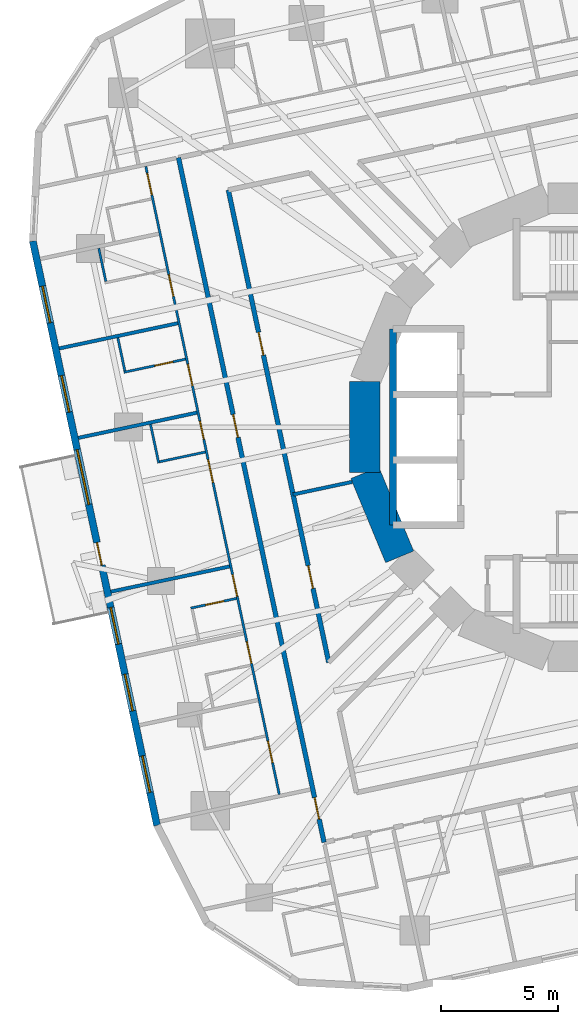
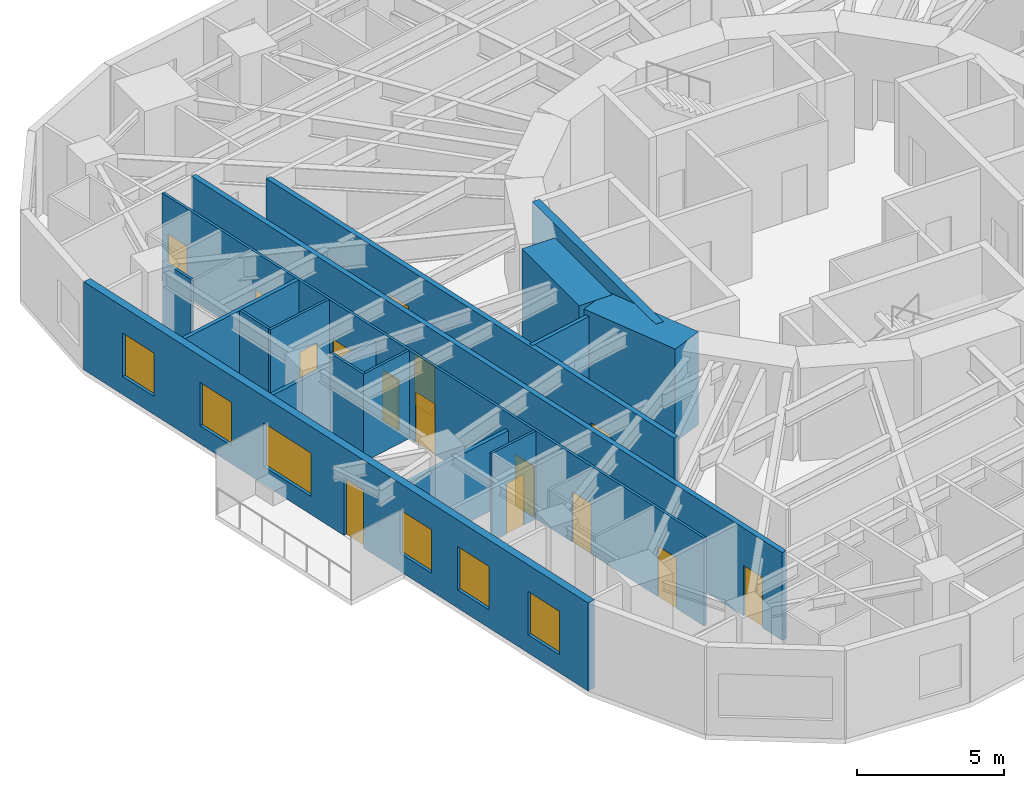
# One storey, part 6 of 14: 17 walls, 15 doors, 6 windows, 21 openings.
"""IFC4 building model written with IfcOpenShell, lengths in metres."""

from ifc_helpers import new_model, si_unit, direction, frame, frame_2d, origin, place, context, subcontext, project, spatial, rectangle, extrude, material, layer, layer_set, type_object, element, fill, save


model = new_model("IFC4")

# Units and contexts
model_context = context("Model", 3, precision=1e-05, world=origin(), true_north=direction((0.0, 1.0)))
body_context = subcontext(model_context, "Body", "Model", "MODEL_VIEW")
ifc_project = project(units=[si_unit("LENGTHUNIT", "METRE"), si_unit("AREAUNIT", "SQUARE_METRE"), si_unit("VOLUMEUNIT", "CUBIC_METRE"), si_unit("PLANEANGLEUNIT", "RADIAN"), si_unit("MASSUNIT", "GRAM", prefix="KILO")], contexts=[model_context])

# Site, building, storey
site_placement = place(None, origin())
site = spatial("IfcSite", under=ifc_project, at=site_placement, CompositionType="ELEMENT")
building_placement = place(site_placement, origin())
building = spatial("IfcBuilding", under=site, at=building_placement, Name="Nakasero Lantern House", CompositionType="ELEMENT")
storey_placement = place(building_placement, frame((0.0, 0.0, 112.699951171875)))
storey = spatial("IfcBuildingStorey", under=building, at=storey_placement, Name="L27", CompositionType="ELEMENT", Elevation=112.699951171875)

# Wall, openings, doors
ifc_material_1 = material(Name="Blockwork", Category="masonry")
ifc_layer_1 = layer(ifc_material_1, 0.10009765625)
ifc_layer_set_1 = layer_set([ifc_layer_1], Name="Cluster hall wall 100")
wall_type_1 = type_object("IfcWallType", Name="Cluster hall wall 100", PredefinedType="PARTITIONING", material=ifc_layer_set_1)
wall_1_placement = place(storey_placement, frame((-19.193603515625, 11.1787109375, 0.0), z_axis=(0.0, 0.0, 1.0), x_axis=(0.207915639441, -0.97814676142, 0.0)))
wall_1 = element("IfcWall", 1, at=wall_1_placement, inside=storey, type_object=wall_type_1, Name="Cluster hall wall L27 HW2-0", PredefinedType="PARTITIONING", context=body_context, shape_type="SweptSolid", body=[
    extrude(rectangle(XDim=27.513427734375, YDim=0.10009765625, at=frame_2d((13.7568359375, 0.0))), origin(), (0.0, 0.0, 1.0), 3.650146484375),
])
opening_1_placement = place(wall_1_placement, frame((12.848876953125, 0.0, 0.0)))
opening_1 = element("IfcOpeningElement", 2, at=opening_1_placement, cuts=wall_1, Name="Opening D03", PredefinedType="OPENING", context=body_context, shape_type="SweptSolid", body=[
    extrude(rectangle(XDim=1.0, YDim=2.10009765625, at=frame_2d((0.5, 1.050048828125))), frame((0.0, 0.070068359375, 0.0), z_axis=(0.0, -1.0, 0.0), x_axis=(1.0, 0.0, 0.0)), (0.0, 0.0, 1.0), 0.14013671875),
])
opening_2_placement = place(wall_1_placement, frame((11.155029296875, 0.0, 0.0)))
opening_2 = element("IfcOpeningElement", 3, at=opening_2_placement, cuts=wall_1, Name="Opening D02", PredefinedType="OPENING", context=body_context, shape_type="SweptSolid", body=[
    extrude(rectangle(XDim=0.800048828125, YDim=2.10009765625, at=frame_2d((0.39990234375, 1.050048828125))), frame((0.0, 0.070068359375, 0.0), z_axis=(0.0, -1.0, 0.0), x_axis=(1.0, 0.0, 0.0)), (0.0, 0.0, 1.0), 0.14013671875),
])
opening_3_placement = place(wall_1_placement, frame((0.300048828125, 0.0, 0.0)))
opening_3 = element("IfcOpeningElement", 4, at=opening_3_placement, cuts=wall_1, Name="Opening D01", PredefinedType="OPENING", context=body_context, shape_type="SweptSolid", body=[
    extrude(rectangle(XDim=0.949951171875, YDim=2.10009765625, at=frame_2d((0.47509765625, 1.050048828125))), frame((0.0, 0.070068359375, 0.0), z_axis=(0.0, -1.0, 0.0), x_axis=(1.0, 0.0, 0.0)), (0.0, 0.0, 1.0), 0.14013671875),
])
opening_4_placement = place(wall_1_placement, frame((4.7412109375, 0.0, 0.0)))
opening_4 = element("IfcOpeningElement", 5, at=opening_4_placement, cuts=wall_1, Name="Opening D01", PredefinedType="OPENING", context=body_context, shape_type="SweptSolid", body=[
    extrude(rectangle(XDim=0.949951171875, YDim=2.10009765625, at=frame_2d((0.47509765625, 1.050048828125))), frame((0.0, 0.070068359375, 0.0), z_axis=(0.0, -1.0, 0.0), x_axis=(1.0, 0.0, 0.0)), (0.0, 0.0, 1.0), 0.14013671875),
])
opening_5_placement = place(wall_1_placement, frame((8.66064453125, 0.0, 0.0)))
opening_5 = element("IfcOpeningElement", 6, at=opening_5_placement, cuts=wall_1, Name="Opening D01", PredefinedType="OPENING", context=body_context, shape_type="SweptSolid", body=[
    extrude(rectangle(XDim=0.949951171875, YDim=2.10009765625, at=frame_2d((0.47509765625, 1.050048828125))), frame((0.0, 0.070068359375, 0.0), z_axis=(0.0, -1.0, 0.0), x_axis=(1.0, 0.0, 0.0)), (0.0, 0.0, 1.0), 0.14013671875),
])
opening_6_placement = place(wall_1_placement, frame((17.892578125, 0.0, 0.0)))
opening_6 = element("IfcOpeningElement", 7, at=opening_6_placement, cuts=wall_1, Name="Opening D01", PredefinedType="OPENING", context=body_context, shape_type="SweptSolid", body=[
    extrude(rectangle(XDim=0.949951171875, YDim=2.10009765625, at=frame_2d((0.47509765625, 1.050048828125))), frame((0.0, 0.070068359375, 0.0), z_axis=(0.0, -1.0, 0.0), x_axis=(1.0, 0.0, 0.0)), (0.0, 0.0, 1.0), 0.14013671875),
])
opening_7_placement = place(wall_1_placement, frame((20.81884765625, 0.0, 0.0)))
opening_7 = element("IfcOpeningElement", 8, at=opening_7_placement, cuts=wall_1, Name="Opening D01", PredefinedType="OPENING", context=body_context, shape_type="SweptSolid", body=[
    extrude(rectangle(XDim=0.949951171875, YDim=2.10009765625, at=frame_2d((0.47509765625, 1.050048828125))), frame((0.0, 0.070068359375, 0.0), z_axis=(0.0, -1.0, 0.0), x_axis=(1.0, 0.0, 0.0)), (0.0, 0.0, 1.0), 0.14013671875),
])
opening_8_placement = place(wall_1_placement, frame((25.17041015625, 0.0, 0.0)))
opening_8 = element("IfcOpeningElement", 9, at=opening_8_placement, cuts=wall_1, Name="Opening D01", PredefinedType="OPENING", context=body_context, shape_type="SweptSolid", body=[
    extrude(rectangle(XDim=0.949951171875, YDim=2.10009765625, at=frame_2d((0.47509765625, 1.050048828125))), frame((0.0, 0.070068359375, 0.0), z_axis=(0.0, -1.0, 0.0), x_axis=(1.0, 0.0, 0.0)), (0.0, 0.0, 1.0), 0.14013671875),
])
ifc_material_2 = material(Name="Timber C24", Category="wood")
door_type_1 = type_object("IfcDoorType", Name="Bedroom door FD30S 950", OperationType="SINGLE_SWING_LEFT", PredefinedType="DOOR", material=ifc_material_2)
door_1_placement = place(opening_3_placement, origin())
door_1 = element("IfcDoor", 10, at=door_1_placement, inside=storey, type_object=door_type_1, Name="Door L27 D2-00", OperationType="SINGLE_SWING_LEFT", OverallHeight=2.10009765625, OverallWidth=0.949951171875, PredefinedType="DOOR", context=body_context, shape_type="SweptSolid", body=[
    extrude(rectangle(XDim=0.949951171875, YDim=2.10009765625, at=frame_2d((0.47509765625, 1.050048828125))), frame((0.0, 0.02490234375, 0.0), z_axis=(0.0, -1.0, 0.0), x_axis=(1.0, 0.0, 0.0)), (0.0, 0.0, 1.0), 0.050048828125),
])
fill(opening_3, door_1)
door_2_placement = place(opening_4_placement, origin())
door_2 = element("IfcDoor", 11, at=door_2_placement, inside=storey, type_object=door_type_1, Name="Door L27 D2-01", OperationType="SINGLE_SWING_LEFT", OverallHeight=2.10009765625, OverallWidth=0.949951171875, PredefinedType="DOOR", context=body_context, shape_type="SweptSolid", body=[
    extrude(rectangle(XDim=0.949951171875, YDim=2.10009765625, at=frame_2d((0.47509765625, 1.050048828125))), frame((0.0, 0.02490234375, 0.0), z_axis=(0.0, -1.0, 0.0), x_axis=(1.0, 0.0, 0.0)), (0.0, 0.0, 1.0), 0.050048828125),
])
fill(opening_4, door_2)
door_3_placement = place(opening_5_placement, origin())
door_3 = element("IfcDoor", 12, at=door_3_placement, inside=storey, type_object=door_type_1, Name="Door L27 D2-02", OperationType="SINGLE_SWING_LEFT", OverallHeight=2.10009765625, OverallWidth=0.949951171875, PredefinedType="DOOR", context=body_context, shape_type="SweptSolid", body=[
    extrude(rectangle(XDim=0.949951171875, YDim=2.10009765625, at=frame_2d((0.47509765625, 1.050048828125))), frame((0.0, 0.02490234375, 0.0), z_axis=(0.0, -1.0, 0.0), x_axis=(1.0, 0.0, 0.0)), (0.0, 0.0, 1.0), 0.050048828125),
])
fill(opening_5, door_3)
door_4_placement = place(opening_6_placement, origin())
door_4 = element("IfcDoor", 13, at=door_4_placement, inside=storey, type_object=door_type_1, Name="Door L27 D2-05", OperationType="SINGLE_SWING_RIGHT", OverallHeight=2.10009765625, OverallWidth=0.949951171875, PredefinedType="DOOR", context=body_context, shape_type="SweptSolid", body=[
    extrude(rectangle(XDim=0.949951171875, YDim=2.10009765625, at=frame_2d((0.47509765625, 1.050048828125))), frame((0.0, 0.02490234375, 0.0), z_axis=(0.0, -1.0, 0.0), x_axis=(1.0, 0.0, 0.0)), (0.0, 0.0, 1.0), 0.050048828125),
])
fill(opening_6, door_4)
door_5_placement = place(opening_7_placement, origin())
door_5 = element("IfcDoor", 14, at=door_5_placement, inside=storey, type_object=door_type_1, Name="Door L27 D2-06", OperationType="SINGLE_SWING_RIGHT", OverallHeight=2.10009765625, OverallWidth=0.949951171875, PredefinedType="DOOR", context=body_context, shape_type="SweptSolid", body=[
    extrude(rectangle(XDim=0.949951171875, YDim=2.10009765625, at=frame_2d((0.47509765625, 1.050048828125))), frame((0.0, 0.02490234375, 0.0), z_axis=(0.0, -1.0, 0.0), x_axis=(1.0, 0.0, 0.0)), (0.0, 0.0, 1.0), 0.050048828125),
])
fill(opening_7, door_5)
door_6_placement = place(opening_8_placement, origin())
door_6 = element("IfcDoor", 15, at=door_6_placement, inside=storey, type_object=door_type_1, Name="Door L27 D2-07", OperationType="SINGLE_SWING_RIGHT", OverallHeight=2.10009765625, OverallWidth=0.949951171875, PredefinedType="DOOR", context=body_context, shape_type="SweptSolid", body=[
    extrude(rectangle(XDim=0.949951171875, YDim=2.10009765625, at=frame_2d((0.47509765625, 1.050048828125))), frame((0.0, 0.02490234375, 0.0), z_axis=(0.0, -1.0, 0.0), x_axis=(1.0, 0.0, 0.0)), (0.0, 0.0, 1.0), 0.050048828125),
])
fill(opening_8, door_6)
ifc_material_3 = material(Name="Timber C24", Category="wood")
door_type_2 = type_object("IfcDoorType", Name="En-suite door 800", OperationType="SINGLE_SWING_RIGHT", PredefinedType="DOOR", material=ifc_material_3)
door_7_placement = place(opening_2_placement, origin())
door_7 = element("IfcDoor", 16, at=door_7_placement, inside=storey, type_object=door_type_2, Name="Door L27 DSH2-0", OperationType="SINGLE_SWING_LEFT", OverallHeight=2.10009765625, OverallWidth=0.800048828125, PredefinedType="DOOR", context=body_context, shape_type="SweptSolid", body=[
    extrude(rectangle(XDim=0.800048828125, YDim=2.10009765625, at=frame_2d((0.39990234375, 1.050048828125))), frame((0.0, 0.02490234375, 0.0), z_axis=(0.0, -1.0, 0.0), x_axis=(1.0, 0.0, 0.0)), (0.0, 0.0, 1.0), 0.050048828125),
])
fill(opening_2, door_7)
ifc_material_4 = material(Name="Timber C24", Category="wood")
door_type_3 = type_object("IfcDoorType", Name="Lounge door FD30S 1000", OperationType="SINGLE_SWING_LEFT", PredefinedType="DOOR", material=ifc_material_4)
door_8_placement = place(opening_1_placement, origin())
door_8 = element("IfcDoor", 17, at=door_8_placement, inside=storey, type_object=door_type_3, Name="Door L27 DH2-0", OperationType="SINGLE_SWING_LEFT", OverallHeight=2.10009765625, OverallWidth=1.0, PredefinedType="DOOR", context=body_context, shape_type="SweptSolid", body=[
    extrude(rectangle(XDim=1.0, YDim=2.10009765625, at=frame_2d((0.5, 1.050048828125))), frame((0.0, 0.02490234375, 0.0), z_axis=(0.0, -1.0, 0.0), x_axis=(1.0, 0.0, 0.0)), (0.0, 0.0, 1.0), 0.050048828125),
])
fill(opening_1, door_8)

# Walls
ifc_material_5 = material(Name="Concrete C50/60", Category="concrete")
ifc_layer_2 = layer(ifc_material_5, 0.300048828125)
ifc_layer_set_2 = layer_set([ifc_layer_2], Name="Core inner wall 300")
wall_type_2 = type_object("IfcWallType", Name="Core inner wall 300", PredefinedType="SHEAR", material=ifc_layer_set_2)
wall_2_placement = place(storey_placement, frame((-8.60009765625, -4.199951171875, 0.0), z_axis=(0.0, 0.0, 1.0), x_axis=(0.0, 1.0, 0.0)))
element("IfcWall", 18, at=wall_2_placement, inside=storey, type_object=wall_type_2, Name="Core inner wall L27 LWB", PredefinedType="SHEAR", context=body_context, shape_type="SweptSolid", body=[
    extrude(rectangle(XDim=8.39990234375, YDim=0.300048828125, at=frame_2d((4.199951171875, 0.0))), origin(), (0.0, 0.0, 1.0), 3.85009765625),
])
ifc_material_6 = material(Name="Concrete C50/60", Category="concrete")
ifc_layer_3 = layer(ifc_material_6, 1.300048828125)
ifc_layer_set_3 = layer_set([ifc_layer_3], Name="Core wall 1300")
wall_type_3 = type_object("IfcWallType", Name="Core wall 1300", PredefinedType="SHEAR", material=ifc_layer_set_3)
for number, where, z_axis, x_axis, name in (
    (19, (-9.807861328125, 1.950927734375, 0.0), (0.0, 0.0, 1.0), (0.0, -1.0, 0.0), "Core wall L27 facet 8"),
    (20, (-9.807861328125, -1.950927734375, 0.0), (0.0, 0.0, 1.0), (0.382690736062, -0.923876507187, 0.0), "Core wall L27 facet 9"),
):
    element("IfcWall", number, at=place(storey_placement, frame(where, z_axis=z_axis, x_axis=x_axis)), inside=storey, type_object=wall_type_3, Name=name, PredefinedType="SHEAR", context=body_context, shape_type="SweptSolid", body=[
        extrude(rectangle(XDim=3.90185546875, YDim=1.300048828125, at=frame_2d((1.950927734375, 0.0))), origin(), (0.0, 0.0, 1.0), 3.85009765625),
    ])

# Wall, openings, doors
ifc_material_7 = material(Name="Blockwork", Category="masonry")
ifc_layer_4 = layer(ifc_material_7, 0.199951171875)
ifc_layer_set_4 = layer_set([ifc_layer_4], Name="Corridor wall 200")
wall_type_4 = type_object("IfcWallType", Name="Corridor wall 200", PredefinedType="PARTITIONING", material=ifc_layer_set_4)
wall_3_placement = place(storey_placement, frame((-17.790771484375, 11.553466796875, 0.0), z_axis=(0.0, 0.0, 1.0), x_axis=(0.207911508826, -0.978147639417, 0.0)))
wall_3 = element("IfcWall", 21, at=wall_3_placement, inside=storey, type_object=wall_type_4, Name="Corridor wall L27 CW2", PredefinedType="PARTITIONING", context=body_context, shape_type="SweptSolid", body=[
    extrude(rectangle(XDim=29.999755859375, YDim=0.199951171875, at=frame_2d((15.0, 0.0))), origin(), (0.0, 0.0, 1.0), 3.650146484375),
])
opening_9_placement = place(wall_3_placement, frame((11.255126953125, 0.0, 0.0)))
opening_9 = element("IfcOpeningElement", 22, at=opening_9_placement, cuts=wall_3, Name="Opening D14", PredefinedType="OPENING", context=body_context, shape_type="SweptSolid", body=[
    extrude(rectangle(XDim=1.0, YDim=2.10009765625, at=frame_2d((0.5, 1.050048828125))), frame((0.0, 0.119873046875, 0.0), z_axis=(0.0, -1.0, 0.0), x_axis=(1.0, 0.0, 0.0)), (0.0, 0.0, 1.0), 0.239990234375),
])
opening_10_placement = place(wall_3_placement, frame((28.038330078125, 0.0, 0.0)))
opening_10 = element("IfcOpeningElement", 23, at=opening_10_placement, cuts=wall_3, Name="Opening D01", PredefinedType="OPENING", context=body_context, shape_type="SweptSolid", body=[
    extrude(rectangle(XDim=0.949951171875, YDim=2.10009765625, at=frame_2d((0.47509765625, 1.050048828125))), frame((0.0, 0.119873046875, 0.0), z_axis=(0.0, -1.0, 0.0), x_axis=(1.0, 0.0, 0.0)), (0.0, 0.0, 1.0), 0.239990234375),
])
door_9_placement = place(opening_10_placement, origin())
door_9 = element("IfcDoor", 24, at=door_9_placement, inside=storey, type_object=door_type_1, Name="Door L27 D2-08", OperationType="SINGLE_SWING_RIGHT", OverallHeight=2.10009765625, OverallWidth=0.949951171875, PredefinedType="DOOR", context=body_context, shape_type="SweptSolid", body=[
    extrude(rectangle(XDim=0.949951171875, YDim=2.10009765625, at=frame_2d((0.47509765625, 1.050048828125))), frame((0.0, 0.02490234375, 0.0), z_axis=(0.0, -1.0, 0.0), x_axis=(1.0, 0.0, 0.0)), (0.0, 0.0, 1.0), 0.050048828125),
])
fill(opening_10, door_9)
ifc_material_8 = material(Name="Timber C24", Category="wood")
door_type_4 = type_object("IfcDoorType", Name="Cluster entrance door FD30S 1000", OperationType="SINGLE_SWING_LEFT", PredefinedType="DOOR", material=ifc_material_8)
door_10_placement = place(opening_9_placement, origin())
door_10 = element("IfcDoor", 25, at=door_10_placement, inside=storey, type_object=door_type_4, Name="Door L27 DF2-0", OperationType="SINGLE_SWING_LEFT", OverallHeight=2.10009765625, OverallWidth=1.0, PredefinedType="DOOR", context=body_context, shape_type="SweptSolid", body=[
    extrude(rectangle(XDim=1.0, YDim=2.10009765625, at=frame_2d((0.5, 1.050048828125))), frame((0.0, 0.02490234375, 0.0), z_axis=(0.0, -1.0, 0.0), x_axis=(1.0, 0.0, 0.0)), (0.0, 0.0, 1.0), 0.050048828125),
])
fill(opening_9, door_10)

wall_4_placement = place(storey_placement, frame((-15.656005859375, 10.1669921875, 0.0), z_axis=(0.0, 0.0, 1.0), x_axis=(0.207919413582, -0.978145959178, 0.0)))
wall_4 = element("IfcWall", 26, at=wall_4_placement, inside=storey, type_object=wall_type_4, Name="Corridor wall L27 IW2-0", PredefinedType="PARTITIONING", context=body_context, shape_type="SweptSolid", body=[
    extrude(rectangle(XDim=20.698974609375, YDim=0.199951171875, at=frame_2d((10.349609375, 0.0))), origin(), (0.0, 0.0, 1.0), 3.650146484375),
])
opening_11_placement = place(wall_4_placement, frame((16.45703125, 0.0, 0.0)))
opening_11 = element("IfcOpeningElement", 27, at=opening_11_placement, cuts=wall_4, Name="Opening D07", PredefinedType="OPENING", context=body_context, shape_type="SweptSolid", body=[
    extrude(rectangle(XDim=1.0, YDim=2.10009765625, at=frame_2d((0.5, 1.050048828125))), frame((0.0, 0.119873046875, 0.0), z_axis=(0.0, -1.0, 0.0), x_axis=(1.0, 0.0, 0.0)), (0.0, 0.0, 1.0), 0.239990234375),
])
opening_12_placement = place(wall_4_placement, frame((6.232421875, 0.0, 0.0)))
opening_12 = element("IfcOpeningElement", 28, at=opening_12_placement, cuts=wall_4, Name="Opening D07", PredefinedType="OPENING", context=body_context, shape_type="SweptSolid", body=[
    extrude(rectangle(XDim=1.0, YDim=2.10009765625, at=frame_2d((0.5, 1.050048828125))), frame((0.0, 0.119873046875, 0.0), z_axis=(0.0, -1.0, 0.0), x_axis=(1.0, 0.0, 0.0)), (0.0, 0.0, 1.0), 0.239990234375),
])
ifc_material_9 = material(Name="Timber C24", Category="wood")
door_type_5 = type_object("IfcDoorType", Name="Room door FD30S 1000", OperationType="SINGLE_SWING_LEFT", PredefinedType="DOOR", material=ifc_material_9)
door_11_placement = place(opening_11_placement, origin())
door_11 = element("IfcDoor", 29, at=door_11_placement, inside=storey, type_object=door_type_5, Name="Door L27 DI1", OperationType="SINGLE_SWING_RIGHT", OverallHeight=2.10009765625, OverallWidth=1.0, PredefinedType="DOOR", context=body_context, shape_type="SweptSolid", body=[
    extrude(rectangle(XDim=1.0, YDim=2.10009765625, at=frame_2d((0.5, 1.050048828125))), frame((0.0, 0.02490234375, 0.0), z_axis=(0.0, -1.0, 0.0), x_axis=(1.0, 0.0, 0.0)), (0.0, 0.0, 1.0), 0.050048828125),
])
fill(opening_11, door_11)
door_12_placement = place(opening_12_placement, origin())
door_12 = element("IfcDoor", 30, at=door_12_placement, inside=storey, type_object=door_type_5, Name="Door L27 DI7", OperationType="SINGLE_SWING_LEFT", OverallHeight=2.10009765625, OverallWidth=1.0, PredefinedType="DOOR", context=body_context, shape_type="SweptSolid", body=[
    extrude(rectangle(XDim=1.0, YDim=2.10009765625, at=frame_2d((0.5, 1.050048828125))), frame((0.0, 0.02490234375, 0.0), z_axis=(0.0, -1.0, 0.0), x_axis=(1.0, 0.0, 0.0)), (0.0, 0.0, 1.0), 0.050048828125),
])
fill(opening_12, door_12)

# Walls
ifc_material_10 = material(Name="Blockwork", Category="masonry")
ifc_layer_5 = layer(ifc_material_10, 0.10009765625)
ifc_layer_set_5 = layer_set([ifc_layer_5], Name="En-suite wall 100")
wall_type_5 = type_object("IfcWallType", Name="En-suite wall 100", PredefinedType="PARTITIONING", material=ifc_layer_set_5)
wall_5_placement = place(storey_placement, frame((-16.642578125, -1.0634765625, 0.0), z_axis=(0.0, 0.0, 1.0), x_axis=(-0.978134617382, -0.207972763311, 0.0)))
element("IfcWall", 31, at=wall_5_placement, inside=storey, type_object=wall_type_5, Name="En-suite wall L27 SS2-0", PredefinedType="PARTITIONING", context=body_context, shape_type="SweptSolid", body=[
    extrude(rectangle(XDim=2.10009765625, YDim=0.10009765625, at=frame_2d((1.050048828125, 0.0))), origin(), (0.0, 0.0, 1.0), 3.650146484375),
])
wall_6_placement = place(storey_placement, frame((-18.99072265625, 0.124267578125, 0.0), z_axis=(0.0, 0.0, 1.0), x_axis=(0.207812379357, -0.978168704767, 0.0)))
element("IfcWall", 32, at=wall_6_placement, inside=storey, type_object=wall_type_5, Name="En-suite wall L27 SE2-0", PredefinedType="PARTITIONING", context=body_context, shape_type="SweptSolid", body=[
    extrude(rectangle(XDim=1.699951171875, YDim=0.10009765625, at=frame_2d((0.85009765625, 0.0))), origin(), (0.0, 0.0, 1.0), 3.650146484375),
])
wall_7_placement = place(storey_placement, frame((-21.20751953125, 7.667236328125, 0.0), z_axis=(0.0, 0.0, 1.0), x_axis=(0.207919161079, -0.978146012851, 0.0)))
element("IfcWall", 33, at=wall_7_placement, inside=storey, type_object=wall_type_5, Name="En-suite wall L27 EE2-01", PredefinedType="PARTITIONING", context=body_context, shape_type="SweptSolid", body=[
    extrude(rectangle(XDim=1.4501953125, YDim=0.10009765625, at=frame_2d((0.72509765625, 0.0))), origin(), (0.0, 0.0, 1.0), 3.650146484375),
])

# Wall, opening, door
wall_8_placement = place(storey_placement, frame((-17.48876953125, 2.9169921875, 0.0), z_axis=(0.0, 0.0, 1.0), x_axis=(-0.978151725935, -0.207892282326, 0.0)))
wall_8 = element("IfcWall", 34, at=wall_8_placement, inside=storey, type_object=wall_type_5, Name="En-suite wall L27 ES2-02", PredefinedType="PARTITIONING", context=body_context, shape_type="SweptSolid", body=[
    extrude(rectangle(XDim=2.699951171875, YDim=0.10009765625, at=frame_2d((1.35009765625, 0.0))), origin(), (0.0, 0.0, 1.0), 3.650146484375),
])
opening_13_placement = place(wall_8_placement, frame((0.550048828125, 0.0, 0.0)))
opening_13 = element("IfcOpeningElement", 35, at=opening_13_placement, cuts=wall_8, Name="Opening D02", PredefinedType="OPENING", context=body_context, shape_type="SweptSolid", body=[
    extrude(rectangle(XDim=0.800048828125, YDim=2.10009765625, at=frame_2d((0.39990234375, 1.050048828125))), frame((0.0, 0.070068359375, 0.0), z_axis=(0.0, -1.0, 0.0), x_axis=(1.0, 0.0, 0.0)), (0.0, 0.0, 1.0), 0.14013671875),
])
door_13_placement = place(opening_13_placement, origin())
door_13 = element("IfcDoor", 36, at=door_13_placement, inside=storey, type_object=door_type_2, Name="Door L27 DE2-02", OperationType="SINGLE_SWING_LEFT", OverallHeight=2.10009765625, OverallWidth=0.800048828125, PredefinedType="DOOR", context=body_context, shape_type="SweptSolid", body=[
    extrude(rectangle(XDim=0.800048828125, YDim=2.10009765625, at=frame_2d((0.39990234375, 1.050048828125))), frame((0.0, 0.02490234375, 0.0), z_axis=(0.0, -1.0, 0.0), x_axis=(1.0, 0.0, 0.0)), (0.0, 0.0, 1.0), 0.050048828125),
])
fill(opening_13, door_13)

# Wall
wall_9_placement = place(storey_placement, frame((-20.392578125, 3.833251953125, 0.0), z_axis=(0.0, 0.0, 1.0), x_axis=(0.207953405961, -0.978138732977, 0.0)))
element("IfcWall", 37, at=wall_9_placement, inside=storey, type_object=wall_type_5, Name="En-suite wall L27 EE2-02", PredefinedType="PARTITIONING", context=body_context, shape_type="SweptSolid", body=[
    extrude(rectangle(XDim=1.449951171875, YDim=0.10009765625, at=frame_2d((0.72509765625, 0.0))), origin(), (0.0, 0.0, 1.0), 3.650146484375),
])

# Wall, opening, door
wall_10_placement = place(storey_placement, frame((-15.30908203125, -7.337158203125, 0.0), z_axis=(0.0, 0.0, 1.0), x_axis=(-0.978152955943, -0.207886494942, 0.0)))
wall_10 = element("IfcWall", 38, at=wall_10_placement, inside=storey, type_object=wall_type_5, Name="En-suite wall L27 ES2-05", PredefinedType="PARTITIONING", context=body_context, shape_type="SweptSolid", body=[
    extrude(rectangle(XDim=2.0, YDim=0.10009765625, at=frame_2d((1.0, 0.0))), origin(), (0.0, 0.0, 1.0), 3.650146484375),
])
opening_14_placement = place(wall_10_placement, frame((0.550048828125, 0.0, 0.0)))
opening_14 = element("IfcOpeningElement", 39, at=opening_14_placement, cuts=wall_10, Name="Opening D02", PredefinedType="OPENING", context=body_context, shape_type="SweptSolid", body=[
    extrude(rectangle(XDim=0.800048828125, YDim=2.10009765625, at=frame_2d((0.39990234375, 1.050048828125))), frame((0.0, 0.070068359375, 0.0), z_axis=(0.0, -1.0, 0.0), x_axis=(1.0, 0.0, 0.0)), (0.0, 0.0, 1.0), 0.14013671875),
])
door_14_placement = place(opening_14_placement, origin())
door_14 = element("IfcDoor", 40, at=door_14_placement, inside=storey, type_object=door_type_2, Name="Door L27 DE2-05", OperationType="SINGLE_SWING_LEFT", OverallHeight=2.10009765625, OverallWidth=0.800048828125, PredefinedType="DOOR", context=body_context, shape_type="SweptSolid", body=[
    extrude(rectangle(XDim=0.800048828125, YDim=2.10009765625, at=frame_2d((0.39990234375, 1.050048828125))), frame((0.0, 0.02490234375, 0.0), z_axis=(0.0, -1.0, 0.0), x_axis=(1.0, 0.0, 0.0)), (0.0, 0.0, 1.0), 0.050048828125),
])
fill(opening_14, door_14)

# Wall, openings, door, windows
ifc_material_11 = material(Name="Aluminium rainscreen on blockwork", Category="masonry")
ifc_layer_6 = layer(ifc_material_11, 0.300048828125)
ifc_layer_set_6 = layer_set([ifc_layer_6], Name="Facade wall 300")
wall_type_6 = type_object("IfcWallType", Name="Facade wall 300", PredefinedType="SOLIDWALL", material=ifc_layer_set_6)
wall_11_placement = place(storey_placement, frame((-24.03369140625, 7.9775390625, 0.0), z_axis=(0.0, 0.0, 1.0), x_axis=(0.207909055127, -0.978148160964, 0.0)))
wall_11 = element("IfcWall", 41, at=wall_11_placement, inside=storey, type_object=wall_type_6, Name="Facade wall L27 FW2S", PredefinedType="SOLIDWALL", context=body_context, shape_type="SweptSolid", body=[
    extrude(rectangle(XDim=25.60009765625, YDim=0.300048828125, at=frame_2d((12.800048828125, 0.0))), origin(), (0.0, 0.0, 1.0), 3.650146484375),
])
opening_15_placement = place(wall_11_placement, frame((1.975830078125, 0.0, 0.75)))
opening_15 = element("IfcOpeningElement", 42, at=opening_15_placement, cuts=wall_11, Name="Opening W01", PredefinedType="OPENING", context=body_context, shape_type="SweptSolid", body=[
    extrude(rectangle(XDim=1.60009765625, YDim=1.800048828125, at=frame_2d((0.800048828125, 0.89990234375))), frame((0.0, 0.169921875, 0.0), z_axis=(0.0, -1.0, 0.0), x_axis=(1.0, 0.0, 0.0)), (0.0, 0.0, 1.0), 0.340087890625),
])
opening_16_placement = place(wall_11_placement, frame((5.8955078125, 0.0, 0.75)))
opening_16 = element("IfcOpeningElement", 43, at=opening_16_placement, cuts=wall_11, Name="Opening W01", PredefinedType="OPENING", context=body_context, shape_type="SweptSolid", body=[
    extrude(rectangle(XDim=1.60009765625, YDim=1.800048828125, at=frame_2d((0.800048828125, 0.89990234375))), frame((0.0, 0.169921875, 0.0), z_axis=(0.0, -1.0, 0.0), x_axis=(1.0, 0.0, 0.0)), (0.0, 0.0, 1.0), 0.340087890625),
])
opening_17_placement = place(wall_11_placement, frame((16.0556640625, 0.0, 0.75)))
opening_17 = element("IfcOpeningElement", 44, at=opening_17_placement, cuts=wall_11, Name="Opening W01", PredefinedType="OPENING", context=body_context, shape_type="SweptSolid", body=[
    extrude(rectangle(XDim=1.60009765625, YDim=1.800048828125, at=frame_2d((0.800048828125, 0.89990234375))), frame((0.0, 0.169921875, 0.0), z_axis=(0.0, -1.0, 0.0), x_axis=(1.0, 0.0, 0.0)), (0.0, 0.0, 1.0), 0.340087890625),
])
opening_18_placement = place(wall_11_placement, frame((18.982177734375, 0.0, 0.75)))
opening_18 = element("IfcOpeningElement", 45, at=opening_18_placement, cuts=wall_11, Name="Opening W01", PredefinedType="OPENING", context=body_context, shape_type="SweptSolid", body=[
    extrude(rectangle(XDim=1.60009765625, YDim=1.800048828125, at=frame_2d((0.800048828125, 0.89990234375))), frame((0.0, 0.169921875, 0.0), z_axis=(0.0, -1.0, 0.0), x_axis=(1.0, 0.0, 0.0)), (0.0, 0.0, 1.0), 0.340087890625),
])
opening_19_placement = place(wall_11_placement, frame((22.554443359375, 0.0, 0.75)))
opening_19 = element("IfcOpeningElement", 46, at=opening_19_placement, cuts=wall_11, Name="Opening W01", PredefinedType="OPENING", context=body_context, shape_type="SweptSolid", body=[
    extrude(rectangle(XDim=1.60009765625, YDim=1.800048828125, at=frame_2d((0.800048828125, 0.89990234375))), frame((0.0, 0.169921875, 0.0), z_axis=(0.0, -1.0, 0.0), x_axis=(1.0, 0.0, 0.0)), (0.0, 0.0, 1.0), 0.340087890625),
])
opening_20_placement = place(wall_11_placement, frame((9.139404296875, 0.0, 0.75)))
opening_20 = element("IfcOpeningElement", 47, at=opening_20_placement, cuts=wall_11, Name="Opening W03", PredefinedType="OPENING", context=body_context, shape_type="SweptSolid", body=[
    extrude(rectangle(XDim=2.39990234375, YDim=1.800048828125, at=frame_2d((1.199951171875, 0.89990234375))), frame((0.0, 0.169921875, 0.0), z_axis=(0.0, -1.0, 0.0), x_axis=(1.0, 0.0, 0.0)), (0.0, 0.0, 1.0), 0.340087890625),
])
opening_21_placement = place(wall_11_placement, frame((13.208251953125, 0.0, 0.0)))
opening_21 = element("IfcOpeningElement", 48, at=opening_21_placement, cuts=wall_11, Name="Opening D04", PredefinedType="OPENING", context=body_context, shape_type="SweptSolid", body=[
    extrude(rectangle(XDim=1.0, YDim=2.39990234375, at=frame_2d((0.5, 1.199951171875))), frame((0.0, 0.169921875, 0.0), z_axis=(0.0, -1.0, 0.0), x_axis=(1.0, 0.0, 0.0)), (0.0, 0.0, 1.0), 0.340087890625),
])
ifc_material_12 = material(Name="Aluminium 6063-T6 and glass", Category="aluminium")
door_type_6 = type_object("IfcDoorType", Name="Balcony door 1000x2400", OperationType="SINGLE_SWING_RIGHT", PredefinedType="DOOR", material=ifc_material_12)
door_15_placement = place(opening_21_placement, origin())
door_15 = element("IfcDoor", 49, at=door_15_placement, inside=storey, type_object=door_type_6, Name="Balcony door L27 DB2", OperationType="SINGLE_SWING_RIGHT", OverallHeight=2.39990234375, OverallWidth=1.0, PredefinedType="DOOR", context=body_context, shape_type="SweptSolid", body=[
    extrude(rectangle(XDim=1.0, YDim=2.39990234375, at=frame_2d((0.5, 1.199951171875))), frame((0.0, 0.02490234375, 0.0), z_axis=(0.0, -1.0, 0.0), x_axis=(1.0, 0.0, 0.0)), (0.0, 0.0, 1.0), 0.050048828125),
])
fill(opening_21, door_15)
ifc_material_13 = material(Name="Aluminium 6063-T6 and glass", Category="aluminium")
window_type_1 = type_object("IfcWindowType", Name="Bedroom window 1600x1800", PartitioningType="SINGLE_PANEL", PredefinedType="WINDOW", material=ifc_material_13)
window_1_placement = place(opening_15_placement, origin())
window_1 = element("IfcWindow", 50, at=window_1_placement, inside=storey, type_object=window_type_1, Name="Window L27 WN2-01", OverallHeight=1.800048828125, OverallWidth=1.60009765625, PartitioningType="SINGLE_PANEL", PredefinedType="WINDOW", context=body_context, shape_type="SweptSolid", body=[
    extrude(rectangle(XDim=1.60009765625, YDim=1.800048828125, at=frame_2d((0.800048828125, 0.89990234375))), frame((0.0, 0.030029296875, 0.0), z_axis=(0.0, -1.0, 0.0), x_axis=(1.0, 0.0, 0.0)), (0.0, 0.0, 1.0), 0.06005859375),
])
fill(opening_15, window_1)
window_2_placement = place(opening_16_placement, origin())
window_2 = element("IfcWindow", 51, at=window_2_placement, inside=storey, type_object=window_type_1, Name="Window L27 WN2-02", OverallHeight=1.800048828125, OverallWidth=1.60009765625, PartitioningType="SINGLE_PANEL", PredefinedType="WINDOW", context=body_context, shape_type="SweptSolid", body=[
    extrude(rectangle(XDim=1.60009765625, YDim=1.800048828125, at=frame_2d((0.800048828125, 0.89990234375))), frame((0.0, 0.030029296875, 0.0), z_axis=(0.0, -1.0, 0.0), x_axis=(1.0, 0.0, 0.0)), (0.0, 0.0, 1.0), 0.06005859375),
])
fill(opening_16, window_2)
window_3_placement = place(opening_17_placement, origin())
window_3 = element("IfcWindow", 52, at=window_3_placement, inside=storey, type_object=window_type_1, Name="Window L27 WN2-05", OverallHeight=1.800048828125, OverallWidth=1.60009765625, PartitioningType="SINGLE_PANEL", PredefinedType="WINDOW", context=body_context, shape_type="SweptSolid", body=[
    extrude(rectangle(XDim=1.60009765625, YDim=1.800048828125, at=frame_2d((0.800048828125, 0.89990234375))), frame((0.0, 0.030029296875, 0.0), z_axis=(0.0, -1.0, 0.0), x_axis=(1.0, 0.0, 0.0)), (0.0, 0.0, 1.0), 0.06005859375),
])
fill(opening_17, window_3)
window_4_placement = place(opening_18_placement, origin())
window_4 = element("IfcWindow", 53, at=window_4_placement, inside=storey, type_object=window_type_1, Name="Window L27 WN2-06", OverallHeight=1.800048828125, OverallWidth=1.60009765625, PartitioningType="SINGLE_PANEL", PredefinedType="WINDOW", context=body_context, shape_type="SweptSolid", body=[
    extrude(rectangle(XDim=1.60009765625, YDim=1.800048828125, at=frame_2d((0.800048828125, 0.89990234375))), frame((0.0, 0.030029296875, 0.0), z_axis=(0.0, -1.0, 0.0), x_axis=(1.0, 0.0, 0.0)), (0.0, 0.0, 1.0), 0.06005859375),
])
fill(opening_18, window_4)
window_5_placement = place(opening_19_placement, origin())
window_5 = element("IfcWindow", 54, at=window_5_placement, inside=storey, type_object=window_type_1, Name="Window L27 WN2-07", OverallHeight=1.800048828125, OverallWidth=1.60009765625, PartitioningType="SINGLE_PANEL", PredefinedType="WINDOW", context=body_context, shape_type="SweptSolid", body=[
    extrude(rectangle(XDim=1.60009765625, YDim=1.800048828125, at=frame_2d((0.800048828125, 0.89990234375))), frame((0.0, 0.030029296875, 0.0), z_axis=(0.0, -1.0, 0.0), x_axis=(1.0, 0.0, 0.0)), (0.0, 0.0, 1.0), 0.06005859375),
])
fill(opening_19, window_5)
ifc_material_14 = material(Name="Aluminium 6063-T6 and glass", Category="aluminium")
window_type_2 = type_object("IfcWindowType", Name="Lounge window 2400x1800", PartitioningType="SINGLE_PANEL", PredefinedType="WINDOW", material=ifc_material_14)
window_6_placement = place(opening_20_placement, origin())
window_6 = element("IfcWindow", 55, at=window_6_placement, inside=storey, type_object=window_type_2, Name="Window L27 WK2", OverallHeight=1.800048828125, OverallWidth=2.39990234375, PartitioningType="SINGLE_PANEL", PredefinedType="WINDOW", context=body_context, shape_type="SweptSolid", body=[
    extrude(rectangle(XDim=2.39990234375, YDim=1.800048828125, at=frame_2d((1.199951171875, 0.89990234375))), frame((0.0, 0.030029296875, 0.0), z_axis=(0.0, -1.0, 0.0), x_axis=(1.0, 0.0, 0.0)), (0.0, 0.0, 1.0), 0.06005859375),
])
fill(opening_20, window_6)

# Walls
ifc_material_15 = material(Name="Blockwork", Category="masonry")
ifc_layer_7 = layer(ifc_material_15, 0.14990234375)
ifc_layer_set_7 = layer_set([ifc_layer_7], Name="Party wall 150")
wall_type_7 = type_object("IfcWallType", Name="Party wall 150", PredefinedType="PARTITIONING", material=ifc_layer_set_7)
wall_12_placement = place(storey_placement, frame((-17.816162109375, 4.45751953125, 0.0), z_axis=(0.0, 0.0, 1.0), x_axis=(-0.978151452323, -0.207893569688, 0.0)))
element("IfcWall", 56, at=wall_12_placement, inside=storey, type_object=wall_type_7, Name="Party wall L27 PW2-02", PredefinedType="PARTITIONING", context=body_context, shape_type="SweptSolid", body=[
    extrude(rectangle(XDim=5.199951171875, YDim=0.14990234375, at=frame_2d((2.60009765625, 0.0))), origin(), (0.0, 0.0, 1.0), 3.650146484375),
])
wall_13_placement = place(storey_placement, frame((-17.001220703125, 0.623779296875, 0.0), z_axis=(0.0, 0.0, 1.0), x_axis=(-0.978141904084, -0.207938489641, 0.0)))
element("IfcWall", 57, at=wall_13_placement, inside=storey, type_object=wall_type_7, Name="Party wall L27 PW2-03", PredefinedType="PARTITIONING", context=body_context, shape_type="SweptSolid", body=[
    extrude(rectangle(XDim=5.2001953125, YDim=0.14990234375, at=frame_2d((2.60009765625, 0.0))), origin(), (0.0, 0.0, 1.0), 3.121826171875),
])
wall_14_placement = place(storey_placement, frame((-15.600341796875, -5.966552734375, 0.0), z_axis=(0.0, 0.0, 1.0), x_axis=(-0.978151452323, -0.207893569688, 0.0)))
element("IfcWall", 58, at=wall_14_placement, inside=storey, type_object=wall_type_7, Name="Party wall L27 PW2-05", PredefinedType="PARTITIONING", context=body_context, shape_type="SweptSolid", body=[
    extrude(rectangle(XDim=5.199951171875, YDim=0.14990234375, at=frame_2d((2.60009765625, 0.0))), origin(), (0.0, 0.0, 1.0), 2.95703125),
])
wall_15_placement = place(storey_placement, frame((-12.88232421875, -2.88134765625, 0.0), z_axis=(0.0, 0.0, 1.0), x_axis=(0.978137762495, 0.207957970708, 0.0)))
element("IfcWall", 59, at=wall_15_placement, inside=storey, type_object=wall_type_7, Name="Party wall L27 IM2", PredefinedType="PARTITIONING", context=body_context, shape_type="SweptSolid", body=[
    extrude(rectangle(XDim=2.58984375, YDim=0.14990234375, at=frame_2d((1.294921875, 0.0))), origin(), (0.0, 0.0, 1.0), 3.650146484375),
])

save(model, "model.ifc")
